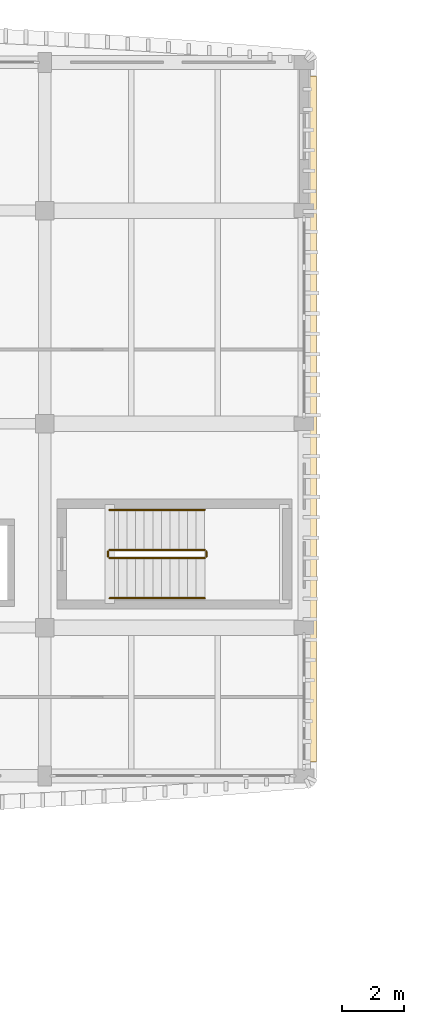
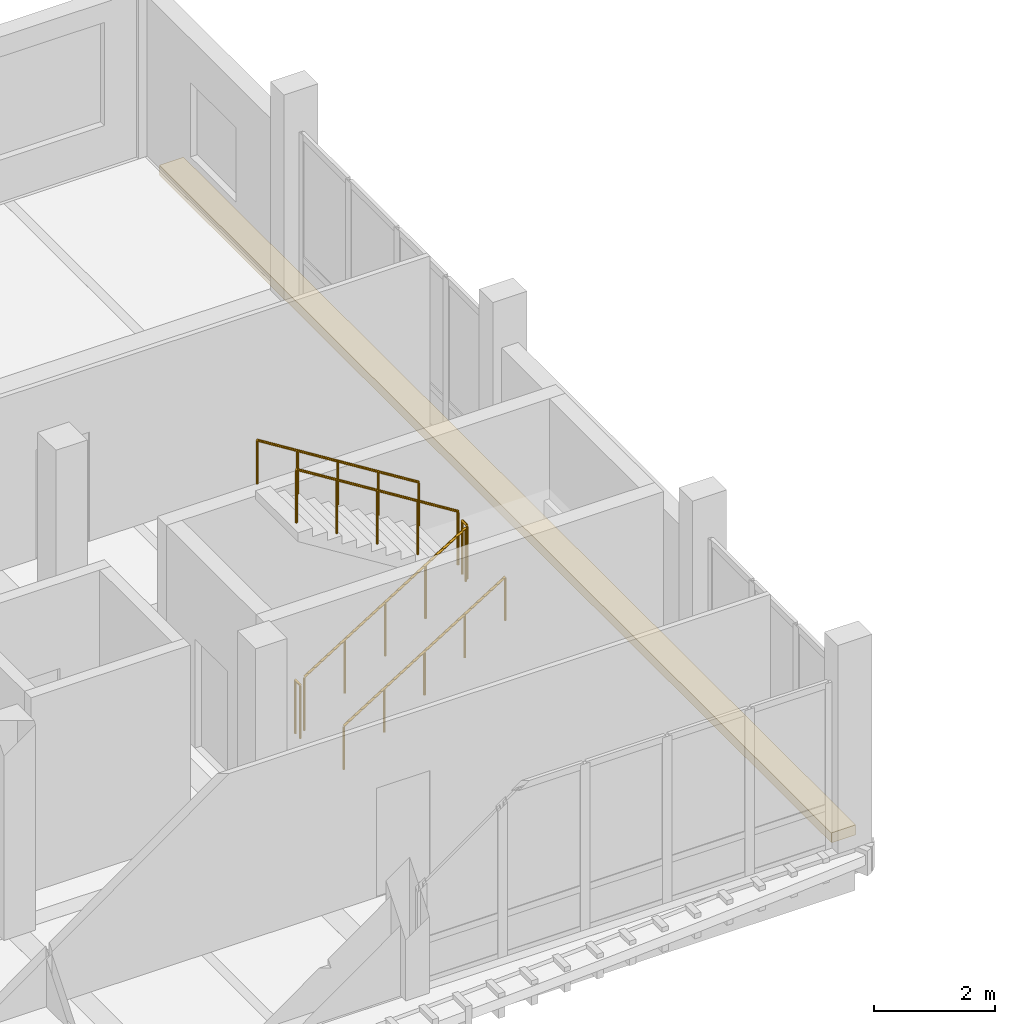
# One storey, part 16 of 20: 6 railings, 1 covering.
"""IFC4 building model written with IfcOpenShell, lengths in metres."""

from ifc_helpers import new_model, si_unit, direction, frame, origin, origin_2d, place, context, subcontext, project, spatial, polyline, circle, outline, extrude, material, layer, layer_set, type_object, element, save


model = new_model("IFC4")

# Units and contexts
model_context = context("Model", 3, precision=1e-05, world=origin(), true_north=direction((0.0, 1.0)))
body_context = subcontext(model_context, "Body", "Model", "MODEL_VIEW")
ifc_project = project(units=[si_unit("LENGTHUNIT", "METRE"), si_unit("AREAUNIT", "SQUARE_METRE"), si_unit("VOLUMEUNIT", "CUBIC_METRE"), si_unit("PLANEANGLEUNIT", "RADIAN"), si_unit("MASSUNIT", "GRAM", prefix="KILO")], contexts=[model_context])

# Site, building, storey
site_placement = place(None, origin())
site = spatial("IfcSite", under=ifc_project, at=site_placement, CompositionType="ELEMENT")
building_placement = place(site_placement, origin())
building = spatial("IfcBuilding", under=site, at=building_placement, Name="Dornvale Research Institute", CompositionType="ELEMENT")
storey_placement = place(building_placement, frame((0.0, 0.0, 34.199951171875)))
storey = spatial("IfcBuildingStorey", under=building, at=storey_placement, Name="L07", CompositionType="ELEMENT", Elevation=34.199951171875)

# Covering
ifc_material_1 = material(Name="Polychrome Glazed Terracotta Visor Rib Ceramic", Category="masonry")
ifc_layer_1 = layer(ifc_material_1, 0.199951171875)
ifc_layer_set_1 = layer_set([ifc_layer_1], Name="Polychrome Glazed Terracotta Visor Rib Ceramic")
covering_type = type_object("IfcCoveringType", Name="Covering_VisorBrim_Shelf", PredefinedType="CLADDING", material=ifc_layer_set_1)
covering_placement = place(storey_placement, frame((0.0, 0.0, -0.280029296875)))
element("IfcCovering", 1, at=covering_placement, inside=storey, type_object=covering_type, Name="L07 V5 canted bowed-brim visor hood #31", PredefinedType="CLADDING", context=body_context, shape_type="SweptSolid", body=[
    extrude(outline(polyline([(41.80322265625, 99.449951171875), (41.340087890625, 99.449951171875), (41.340087890625, 121.64990234375), (41.80322265625, 121.64990234375), (41.80322265625, 99.449951171875)])), origin(), (0.0, 0.0, 1.0), 0.2001953125),
])

# Railings
ifc_material_2 = material(Name="Galvanized Painted Tubular Steel Stair Rail", Category="steel")
ifc_layer_2 = layer(ifc_material_2, 0.050048828125)
ifc_layer_set_2 = layer_set([ifc_layer_2], Name="Galvanized Painted Tubular Steel Stair Rail")
railing_type_1 = type_object("IfcRailingType", Name="Railing_Stair_Guard_1100", PredefinedType="GUARDRAIL", material=ifc_layer_set_2)
railing_1_placement = place(storey_placement, frame((35.10009765625, 106.050048828125, 0.175048828125)))
element("IfcRailing", 2, at=railing_1_placement, inside=storey, type_object=railing_type_1, Name="L07 ST-2 stair guard 1", PredefinedType="GUARDRAIL", context=body_context, shape_type="SweptSolid", body=[
    extrude(circle(Radius=0.02392578125, at=origin_2d()), frame((0.0, 0.0, 1.076171875), z_axis=(0.847979421464, 0.0, 0.530029150871), x_axis=(0.0, 1.0, 0.0)), (0.0, 0.0, 1.0), 3.632080078125),
    extrude(circle(Radius=0.02099609375, at=origin_2d()), origin(), (0.0, 0.0, 1.0), 1.052001953125),
    extrude(circle(Radius=0.02099609375, at=origin_2d()), frame((0.77001953125, 0.0, 0.481201171875)), (0.0, 0.0, 1.0), 1.052001953125),
    extrude(circle(Radius=0.02099609375, at=origin_2d()), frame((1.5400390625, 0.0, 0.96240234375)), (0.0, 0.0, 1.0), 1.052001953125),
    extrude(circle(Radius=0.02099609375, at=origin_2d()), frame((2.309814453125, 0.0, 1.44384765625)), (0.0, 0.0, 1.0), 1.052001953125),
    extrude(circle(Radius=0.02099609375, at=origin_2d()), frame((3.079833984375, 0.0, 1.925048828125)), (0.0, 0.0, 1.0), 1.052001953125),
])
railing_2_placement = place(storey_placement, frame((38.22998046875, 106.10009765625, 2.10009765625)))
element("IfcRailing", 3, at=railing_2_placement, inside=storey, type_object=railing_type_1, Name="L07 ST-2 stair guard 2", PredefinedType="GUARDRAIL", context=body_context, shape_type="SweptSolid", body=[
    extrude(circle(Radius=0.02392578125, at=origin_2d()), frame((0.0, 0.0, 1.076171875), z_axis=(0.0, 1.0, 0.0), x_axis=(-1.0, 0.0, 0.0)), (0.0, 0.0, 1.0), 0.159912109375),
    extrude(circle(Radius=0.02099609375, at=origin_2d()), origin(), (0.0, 0.0, 1.0), 1.052001953125),
    extrude(circle(Radius=0.02099609375, at=origin_2d()), frame((0.0, 0.159912109375, 0.0)), (0.0, 0.0, 1.0), 1.052001953125),
])
railing_3_placement = place(storey_placement, frame((38.179931640625, 106.31005859375, 2.275146484375)))
element("IfcRailing", 4, at=railing_3_placement, inside=storey, type_object=railing_type_1, Name="L07 ST-2 stair guard 3", PredefinedType="GUARDRAIL", context=body_context, shape_type="SweptSolid", body=[
    extrude(circle(Radius=0.02392578125, at=origin_2d()), frame((0.0, 0.0, 1.076171875), z_axis=(-0.848009633417, 0.0, 0.529980812513), x_axis=(0.0, -1.0, 0.0)), (0.0, 0.0, 1.0), 3.6318359375),
    extrude(circle(Radius=0.02099609375, at=origin_2d()), origin(), (0.0, 0.0, 1.0), 1.052001953125),
    extrude(circle(Radius=0.02099609375, at=origin_2d()), frame((-0.77001953125, 0.0, 0.481201171875)), (0.0, 0.0, 1.0), 1.052001953125),
    extrude(circle(Radius=0.02099609375, at=origin_2d()), frame((-1.5400390625, 0.0, 0.96240234375)), (0.0, 0.0, 1.0), 1.052001953125),
    extrude(circle(Radius=0.02099609375, at=origin_2d()), frame((-2.309814453125, 0.0, 1.443603515625)), (0.0, 0.0, 1.0), 1.052001953125),
    extrude(circle(Radius=0.02099609375, at=origin_2d()), frame((-3.079833984375, 0.0, 1.9248046875)), (0.0, 0.0, 1.0), 1.052001953125),
])
railing_4_placement = place(storey_placement, frame((35.050048828125, 106.10009765625, 0.0)))
element("IfcRailing", 5, at=railing_4_placement, inside=storey, type_object=railing_type_1, Name="L07 ST-2 stair guard 4", PredefinedType="GUARDRAIL", context=body_context, shape_type="SweptSolid", body=[
    extrude(circle(Radius=0.02392578125, at=origin_2d()), frame((0.0, 0.0, 1.076171875), z_axis=(0.0, 1.0, 0.0), x_axis=(-1.0, 0.0, 0.0)), (0.0, 0.0, 1.0), 0.159912109375),
    extrude(circle(Radius=0.02099609375, at=origin_2d()), origin(), (0.0, 0.0, 1.0), 1.052001953125),
    extrude(circle(Radius=0.02099609375, at=origin_2d()), frame((0.0, 0.159912109375, 0.0)), (0.0, 0.0, 1.0), 1.052001953125),
])
ifc_material_3 = material(Name="Galvanized Painted Tubular Steel Stair Rail", Category="steel")
ifc_layer_3 = layer(ifc_material_3, 0.044921875)
ifc_layer_set_3 = layer_set([ifc_layer_3], Name="Galvanized Painted Tubular Steel Stair Rail")
railing_type_2 = type_object("IfcRailingType", Name="Railing_Stair_Handrail_900", PredefinedType="HANDRAIL", material=ifc_layer_set_3)
railing_5_placement = place(storey_placement, frame((35.10009765625, 104.75, 0.175048828125)))
element("IfcRailing", 6, at=railing_5_placement, inside=storey, type_object=railing_type_2, Name="L07 ST-2 stair handrail 1", PredefinedType="HANDRAIL", context=body_context, shape_type="SweptSolid", body=[
    extrude(circle(Radius=0.02392578125, at=origin_2d()), frame((0.0, 0.0, 0.8759765625), z_axis=(0.847979421464, 0.0, 0.530029150871), x_axis=(0.0, 1.0, 0.0)), (0.0, 0.0, 1.0), 3.632080078125),
    extrude(circle(Radius=0.02099609375, at=origin_2d()), origin(), (0.0, 0.0, 1.0), 0.851806640625),
    extrude(circle(Radius=0.02099609375, at=origin_2d()), frame((0.77001953125, 0.0, 0.481201171875)), (0.0, 0.0, 1.0), 0.851806640625),
    extrude(circle(Radius=0.02099609375, at=origin_2d()), frame((1.5400390625, 0.0, 0.96240234375)), (0.0, 0.0, 1.0), 0.851806640625),
    extrude(circle(Radius=0.02099609375, at=origin_2d()), frame((2.309814453125, 0.0, 1.44384765625)), (0.0, 0.0, 1.0), 0.851806640625),
    extrude(circle(Radius=0.02099609375, at=origin_2d()), frame((3.079833984375, 0.0, 1.925048828125)), (0.0, 0.0, 1.0), 0.851806640625),
])
railing_6_placement = place(storey_placement, frame((38.179931640625, 107.610107421875, 2.275146484375)))
element("IfcRailing", 7, at=railing_6_placement, inside=storey, type_object=railing_type_2, Name="L07 ST-2 stair handrail 2", PredefinedType="HANDRAIL", context=body_context, shape_type="SweptSolid", body=[
    extrude(circle(Radius=0.02392578125, at=origin_2d()), frame((0.0, 0.0, 0.8759765625), z_axis=(-0.848009633417, 0.0, 0.529980812513), x_axis=(0.0, -1.0, 0.0)), (0.0, 0.0, 1.0), 3.6318359375),
    extrude(circle(Radius=0.02099609375, at=origin_2d()), origin(), (0.0, 0.0, 1.0), 0.851806640625),
    extrude(circle(Radius=0.02099609375, at=origin_2d()), frame((-0.77001953125, 0.0, 0.481201171875)), (0.0, 0.0, 1.0), 0.851806640625),
    extrude(circle(Radius=0.02099609375, at=origin_2d()), frame((-1.5400390625, 0.0, 0.96240234375)), (0.0, 0.0, 1.0), 0.851806640625),
    extrude(circle(Radius=0.02099609375, at=origin_2d()), frame((-2.309814453125, 0.0, 1.443603515625)), (0.0, 0.0, 1.0), 0.851806640625),
    extrude(circle(Radius=0.02099609375, at=origin_2d()), frame((-3.079833984375, 0.0, 1.9248046875)), (0.0, 0.0, 1.0), 0.851806640625),
])

save(model, "model.ifc")
